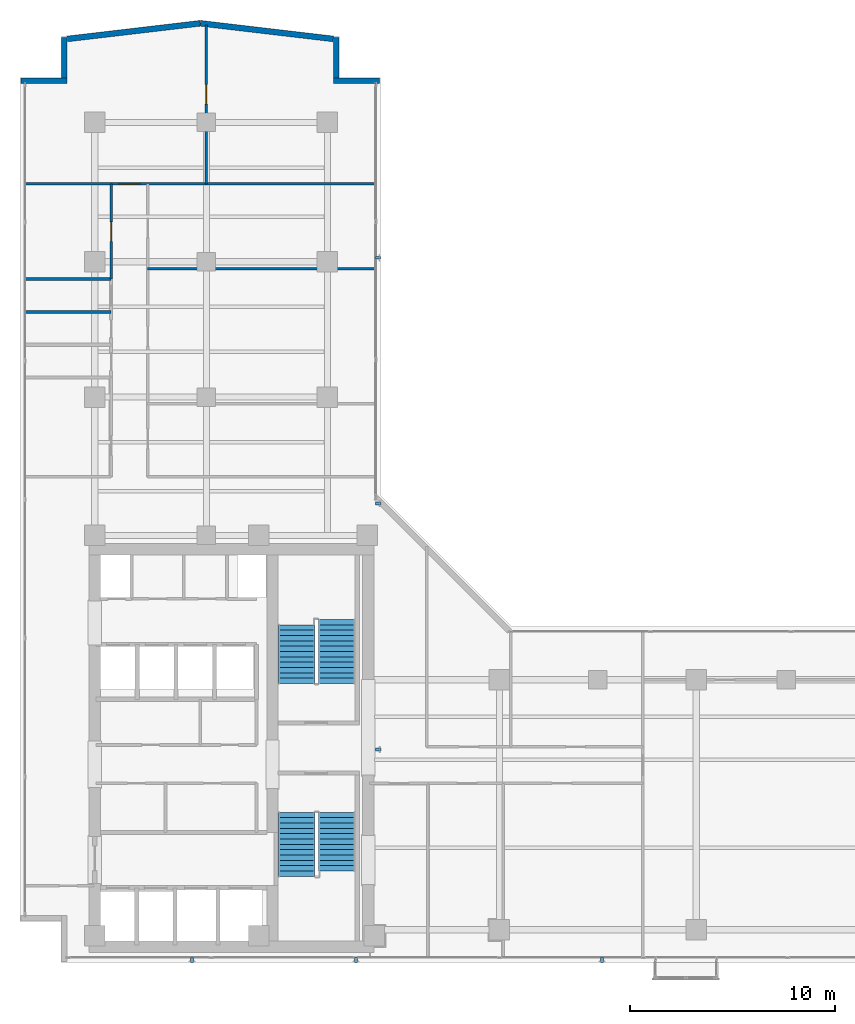
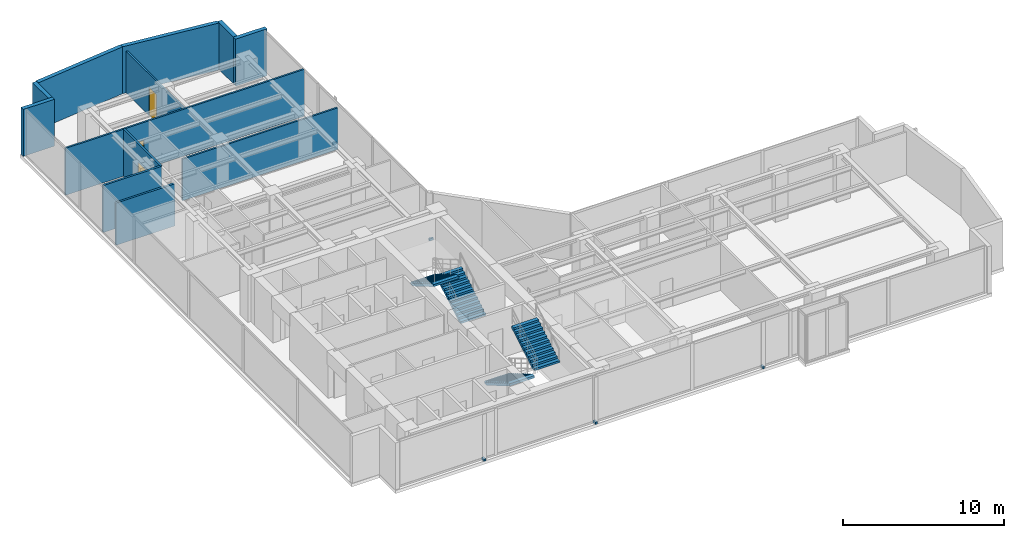
# One storey, part 19 of 24: 12 walls, 6 discrete accessories, 4 stair flights, 3 doors, 3 openings, 2 elements without a shape of their own.
"""IFC4 building model written with IfcOpenShell, lengths in metres."""

from ifc_helpers import new_model, si_unit, direction, frame, frame_2d, origin, origin_with_axes, origin_2d, place, context, subcontext, project, spatial, polyline, rectangle, outline, extrude, source, transform, mapped, material, layer, layer_set, type_object, element, fill, aggregate, save


model = new_model("IFC4")

# Units and contexts
model_context = context("Model", 3, precision=1e-05, world=origin(), true_north=direction((0.0, 1.0)))
body_context = subcontext(model_context, "Body", "Model", "MODEL_VIEW")
ifc_project = project(units=[si_unit("LENGTHUNIT", "METRE"), si_unit("AREAUNIT", "SQUARE_METRE"), si_unit("VOLUMEUNIT", "CUBIC_METRE"), si_unit("PLANEANGLEUNIT", "RADIAN"), si_unit("MASSUNIT", "GRAM", prefix="KILO")], contexts=[model_context])

# Site, building, storey
site_placement = place(None, origin())
site = spatial("IfcSite", under=ifc_project, at=site_placement, CompositionType="ELEMENT")
building_placement = place(site_placement, origin())
building = spatial("IfcBuilding", under=site, at=building_placement, Name="Kolvaren Waterfront Exchange", CompositionType="ELEMENT")
storey_placement = place(building_placement, frame((0.0, 0.0, 238.699951171875)))
storey = spatial("IfcBuildingStorey", under=building, at=storey_placement, Name="L61", CompositionType="ELEMENT", Elevation=238.699951171875)

# Walls
ifc_material_1 = material(Name="Precast concrete C40/50", Category="concrete")
ifc_layer_1 = layer(ifc_material_1, 0.280029296875, Name="Precast concrete C40/50")
ifc_layer_set_1 = layer_set([ifc_layer_1], Name="Precast concrete C40/50")
wall_type_1 = type_object("IfcWallType", Name="ARC-EXT-TERR-280", PredefinedType="SOLIDWALL", material=ifc_layer_set_1)
wall_1_placement = place(storey_placement, frame((19.10009765625, 46.639892578125, 0.0), z_axis=(0.0, 0.0, 1.0), x_axis=(1.0, 0.0, 0.0)))
element("IfcWall", 1, at=wall_1_placement, inside=storey, type_object=wall_type_1, Name="L61 notched corner spandrel pier NNE-A", PredefinedType="SOLIDWALL", context=body_context, shape_type="SweptSolid", body=[
    extrude(rectangle(XDim=2.239990234375, YDim=0.280029296875, at=frame_2d((1.1201171875, 0.0))), origin(), (0.0, 0.0, 1.0), 3.56005859375),
])
wall_2_placement = place(storey_placement, frame((19.239990234375, 46.780029296875, 0.0), z_axis=(0.0, 0.0, 1.0), x_axis=(0.0, 1.0, 0.0)))
element("IfcWall", 2, at=wall_2_placement, inside=storey, type_object=wall_type_1, Name="L61 notched corner spandrel pier NNE-B", PredefinedType="SOLIDWALL", context=body_context, shape_type="SweptSolid", body=[
    extrude(rectangle(XDim=1.9599609375, YDim=0.280029296875, at=frame_2d((0.97998046875, 0.0))), origin(), (0.0, 0.0, 1.0), 3.56005859375),
])
wall_3_placement = place(storey_placement, frame((3.860107421875, 46.639892578125, 0.0), z_axis=(0.0, 0.0, 1.0), x_axis=(1.0, 0.0, 0.0)))
element("IfcWall", 3, at=wall_3_placement, inside=storey, type_object=wall_type_1, Name="L61 notched corner spandrel pier NW-A", PredefinedType="SOLIDWALL", context=body_context, shape_type="SweptSolid", body=[
    extrude(rectangle(XDim=2.239990234375, YDim=0.280029296875, at=frame_2d((1.1201171875, 0.0))), origin(), (0.0, 0.0, 1.0), 3.56005859375),
])
wall_4_placement = place(storey_placement, frame((5.9599609375, 46.780029296875, 0.0), z_axis=(0.0, 0.0, 1.0), x_axis=(0.0, 1.0, 0.0)))
element("IfcWall", 4, at=wall_4_placement, inside=storey, type_object=wall_type_1, Name="L61 notched corner spandrel pier NW-B", PredefinedType="SOLIDWALL", context=body_context, shape_type="SweptSolid", body=[
    extrude(rectangle(XDim=1.9599609375, YDim=0.280029296875, at=frame_2d((0.97998046875, 0.0))), origin(), (0.0, 0.0, 1.0), 3.56005859375),
])
for number, where, z_axis, x_axis, name in (
    (5, (19.08349609375, 48.676025390625, 0.0), (0.0, 0.0, 1.0), (-0.993149072278, 0.11685426921, 0.0), "L61 north prow faceted facade wall 1"),
    (6, (12.598876953125, 49.438720703125, 0.0), (0.0, 0.0, 1.0), (-0.993149072278, -0.11685426921, 0.0), "L61 north prow faceted facade wall 2"),
):
    element("IfcWall", number, at=place(storey_placement, frame(where, z_axis=z_axis, x_axis=x_axis)), inside=storey, type_object=wall_type_1, Name=name, PredefinedType="SOLIDWALL", context=body_context, shape_type="SweptSolid", body=[
        extrude(rectangle(XDim=6.52685546875, YDim=0.280029296875, at=frame_2d((3.263427734375, 0.0))), origin(), (0.0, 0.0, 1.0), 3.56005859375),
    ])

# Wall, opening, door
ifc_material_2 = material(Name="Acoustic gypsum steel stud", Category="steel")
ifc_layer_2 = layer(ifc_material_2, 0.125, Name="Acoustic gypsum steel stud")
ifc_layer_set_2 = layer_set([ifc_layer_2], Name="Acoustic gypsum steel stud")
wall_type_2 = type_object("IfcWallType", Name="ARC-PART-125", PredefinedType="PARTITIONING", material=ifc_layer_set_2)
wall_5_placement = place(storey_placement, frame((8.25, 36.949951171875, 0.0), z_axis=(0.0, 0.0, 1.0), x_axis=(0.0, 1.0, 0.0)))
wall_5 = element("IfcWall", 7, at=wall_5_placement, inside=storey, type_object=wall_type_2, Name="L61 interior wall PW-L61-NW-CORR", PredefinedType="PARTITIONING", context=body_context, shape_type="SweptSolid", body=[
    extrude(rectangle(XDim=4.650146484375, YDim=0.125, at=frame_2d((2.3251953125, 0.0))), origin(), (0.0, 0.0, 1.0), 3.56005859375),
])
opening_1_placement = place(wall_5_placement, frame((1.85009765625, 0.0, 0.0)))
opening_1 = element("IfcOpeningElement", 8, at=opening_1_placement, cuts=wall_5, Name="Opening D02", PredefinedType="OPENING", context=body_context, shape_type="SweptSolid", body=[
    extrude(rectangle(XDim=0.949951171875, YDim=2.14990234375, at=frame_2d((0.47509765625, 1.074951171875))), frame((0.0, 0.072509765625, 0.0), z_axis=(0.0, -1.0, 0.0), x_axis=(1.0, 0.0, 0.0)), (0.0, 0.0, 1.0), 0.14501953125),
])
ifc_material_3 = material(Name="Oak veneer acoustic timber", Category="wood")
door_type_1 = type_object("IfcDoorType", Name="ARC-DR-950", OperationType="NOTDEFINED", PredefinedType="DOOR", material=ifc_material_3)
door_1_placement = place(opening_1_placement, origin())
door_1 = element("IfcDoor", 9, at=door_1_placement, inside=storey, type_object=door_type_1, Name="L61 door DR-L61-NW-D-1 (D02)", OperationType="SINGLE_SWING_LEFT", OverallHeight=2.14990234375, OverallWidth=0.949951171875, PredefinedType="DOOR", context=body_context, shape_type="SweptSolid", body=[
    extrude(rectangle(XDim=0.949951171875, YDim=2.14990234375, at=frame_2d((0.47509765625, 1.074951171875))), frame((0.0, 0.02490234375, 0.0), z_axis=(0.0, -1.0, 0.0), x_axis=(1.0, 0.0, 0.0)), (0.0, 0.0, 1.0), 0.050048828125),
])
fill(opening_1, door_1)

wall_6_placement = place(storey_placement, frame((4.0400390625, 41.60009765625, 0.0), z_axis=(0.0, 0.0, 1.0), x_axis=(1.0, 0.0, 0.0)))
wall_6 = element("IfcWall", 10, at=wall_6_placement, inside=storey, type_object=wall_type_2, Name="L61 interior wall PW-L61-NTIP-S", PredefinedType="PARTITIONING", context=body_context, shape_type="SweptSolid", body=[
    extrude(rectangle(XDim=17.119873046875, YDim=0.125, at=frame_2d((8.56005859375, 0.0))), origin(), (0.0, 0.0, 1.0), 3.56005859375),
])
opening_2_placement = place(wall_6_placement, frame((4.60009765625, 0.0, 0.0)))
opening_2 = element("IfcOpeningElement", 11, at=opening_2_placement, cuts=wall_6, Name="Opening D03", PredefinedType="OPENING", context=body_context, shape_type="SweptSolid", body=[
    extrude(rectangle(XDim=1.0, YDim=2.199951171875, at=frame_2d((0.5, 1.10009765625))), frame((0.0, 0.072509765625, 0.0), z_axis=(0.0, -1.0, 0.0), x_axis=(1.0, 0.0, 0.0)), (0.0, 0.0, 1.0), 0.14501953125),
])
ifc_material_4 = material(Name="Oak veneer accessible timber", Category="wood")
door_type_2 = type_object("IfcDoorType", Name="ARC-DR-1000", OperationType="NOTDEFINED", PredefinedType="DOOR", material=ifc_material_4)
door_2_placement = place(opening_2_placement, origin())
door_2 = element("IfcDoor", 12, at=door_2_placement, inside=storey, type_object=door_type_2, Name="L61 door DR-L61-NTIPW-D (D03)", OperationType="SINGLE_SWING_RIGHT", OverallHeight=2.199951171875, OverallWidth=1.0, PredefinedType="DOOR", context=body_context, shape_type="SweptSolid", body=[
    extrude(rectangle(XDim=1.0, YDim=2.199951171875, at=frame_2d((0.5, 1.10009765625))), frame((0.0, 0.02490234375, 0.0), z_axis=(0.0, -1.0, 0.0), x_axis=(1.0, 0.0, 0.0)), (0.0, 0.0, 1.0), 0.050048828125),
])
fill(opening_2, door_2)

wall_7_placement = place(storey_placement, frame((12.89990234375, 41.60009765625, 0.0), z_axis=(0.0, 0.0, 1.0), x_axis=(0.0, 1.0, 0.0)))
wall_7 = element("IfcWall", 13, at=wall_7_placement, inside=storey, type_object=wall_type_2, Name="L61 interior wall PW-L61-NTIP-DIV", PredefinedType="PARTITIONING", context=body_context, shape_type="SweptSolid", body=[
    extrude(rectangle(XDim=7.760009765625, YDim=0.125, at=frame_2d((3.8798828125, 0.0))), origin(), (0.0, 0.0, 1.0), 3.16015625),
])
opening_3_placement = place(wall_7_placement, frame((3.8935546875, 0.0, 0.0)))
opening_3 = element("IfcOpeningElement", 14, at=opening_3_placement, cuts=wall_7, Name="Opening D02", PredefinedType="OPENING", context=body_context, shape_type="SweptSolid", body=[
    extrude(rectangle(XDim=0.949951171875, YDim=2.14990234375, at=frame_2d((0.47509765625, 1.074951171875))), frame((0.0, 0.072509765625, 0.0), z_axis=(0.0, -1.0, 0.0), x_axis=(1.0, 0.0, 0.0)), (0.0, 0.0, 1.0), 0.14501953125),
])
door_3_placement = place(opening_3_placement, origin())
door_3 = element("IfcDoor", 15, at=door_3_placement, inside=storey, type_object=door_type_1, Name="L61 door DR-L61-NTIPE-D (D02)", OperationType="SINGLE_SWING_LEFT", OverallHeight=2.14990234375, OverallWidth=0.949951171875, PredefinedType="DOOR", context=body_context, shape_type="SweptSolid", body=[
    extrude(rectangle(XDim=0.949951171875, YDim=2.14990234375, at=frame_2d((0.47509765625, 1.074951171875))), frame((0.0, 0.02490234375, 0.0), z_axis=(0.0, -1.0, 0.0), x_axis=(1.0, 0.0, 0.0)), (0.0, 0.0, 1.0), 0.050048828125),
])
fill(opening_3, door_3)

# Walls
wall_8_placement = place(storey_placement, frame((10.030029296875, 37.449951171875, 0.0), z_axis=(0.0, 0.0, 1.0), x_axis=(1.0, 0.0, 0.0)))
element("IfcWall", 16, at=wall_8_placement, inside=storey, type_object=wall_type_2, Name="L61 interior wall PW-L61-NE-DIV-2", PredefinedType="PARTITIONING", context=body_context, shape_type="SweptSolid", body=[
    extrude(rectangle(XDim=11.1298828125, YDim=0.125, at=frame_2d((5.56494140625, 0.0))), origin(), (0.0, 0.0, 1.0), 3.16015625),
])
ifc_material_5 = material(Name="Moisture-resistant gypsum stud")
ifc_layer_3 = layer(ifc_material_5, 0.14990234375, Name="Moisture-resistant gypsum stud")
ifc_layer_set_3 = layer_set([ifc_layer_3], Name="Moisture-resistant gypsum stud")
wall_type_3 = type_object("IfcWallType", Name="ARC-PLUMB-150", PredefinedType="PLUMBINGWALL", material=ifc_layer_set_3)
wall_9_placement = place(storey_placement, frame((4.0400390625, 35.35009765625, 0.0), z_axis=(0.0, 0.0, 1.0), x_axis=(1.0, 0.0, 0.0)))
element("IfcWall", 17, at=wall_9_placement, inside=storey, type_object=wall_type_3, Name="L61 interior wall PW-L61-WC-2", PredefinedType="PLUMBINGWALL", context=body_context, shape_type="SweptSolid", body=[
    extrude(rectangle(XDim=4.2099609375, YDim=0.14990234375, at=frame_2d((2.10498046875, 0.0))), origin(), (0.0, 0.0, 1.0), 3.199951171875),
])
wall_10_placement = place(storey_placement, frame((4.0400390625, 36.949951171875, 0.0), z_axis=(0.0, 0.0, 1.0), x_axis=(1.0, 0.0, 0.0)))
element("IfcWall", 18, at=wall_10_placement, inside=storey, type_object=wall_type_3, Name="L61 interior wall PW-L61-WC-3", PredefinedType="PLUMBINGWALL", context=body_context, shape_type="SweptSolid", body=[
    extrude(rectangle(XDim=4.2099609375, YDim=0.14990234375, at=frame_2d((2.10498046875, 0.0))), origin(), (0.0, 0.0, 1.0), 3.56005859375),
])

# Stair, stair flights
ifc_material_6 = material(Name="Concrete C40/50", Category="concrete")
stair_type = type_object("IfcStairType", Name="ARC-STAIR-3800", PredefinedType="HALF_TURN_STAIR", material=ifc_material_6)
stair_1_placement = place(storey_placement, origin())
stair_1 = element("IfcStair", 19, at=stair_1_placement, inside=storey, type_object=stair_type, Name="L61 Smoke-proof exit stair ST1", PredefinedType="HALF_TURN_STAIR")
stair_flight_type = type_object("IfcStairFlightType", Name="ARC-FLIGHT-3800", PredefinedType="STRAIGHT", material=ifc_material_6)
stair_flight_1_placement = place(storey_placement, frame((17.300048828125, 10.929931640625, 0.0), z_axis=(0.0, 0.0, 1.0), x_axis=(0.0, -1.0, 0.0)))
stair_flight_1 = element("IfcStairFlight", 20, at=stair_flight_1_placement, type_object=stair_flight_type, Name="ST1 flight 1", NumberOfRisers=13, NumberOfTreads=12, PredefinedType="STRAIGHT", RiserHeight=0.152, TreadLength=0.26, context=body_context, shape_type="SweptSolid", body=[
    extrude(outline(polyline([(0.0, 0.0), (0.0, 0.152099609375), (0.260009765625, 0.152099609375), (0.260009765625, 0.303955078125), (0.52001953125, 0.303955078125), (0.52001953125, 0.4560546875), (0.780029296875, 0.4560546875), (0.780029296875, 0.60791015625), (1.0400390625, 0.60791015625), (1.0400390625, 0.760009765625), (1.300048828125, 0.760009765625), (1.300048828125, 0.912109375), (1.56005859375, 0.912109375), (1.56005859375, 1.06396484375), (1.820068359375, 1.06396484375), (1.820068359375, 1.216064453125), (2.080078125, 1.216064453125), (2.080078125, 1.367919921875), (2.340087890625, 1.367919921875), (2.340087890625, 1.52001953125), (2.60009765625, 1.52001953125), (2.60009765625, 1.672119140625), (2.860107421875, 1.672119140625), (2.860107421875, 1.823974609375), (3.1201171875, 1.823974609375), (3.1201171875, 1.97607421875), (3.1201171875, 1.650390625), (0.297119140625, 0.0), (0.0, 0.0)])), frame((0.0, 0.89990234375, 0.0), z_axis=(0.0, -1.0, 0.0), x_axis=(1.0, 0.0, 0.0)), (0.0, 0.0, 1.0), 1.800048828125),
])
stair_flight_2_placement = place(storey_placement, frame((19.260009765625, 8.070068359375, 1.97607421875), z_axis=(0.0, 0.0, 1.0), x_axis=(0.0, 1.0, 0.0)))
stair_flight_2 = element("IfcStairFlight", 21, at=stair_flight_2_placement, type_object=stair_flight_type, Name="ST1 flight 2", NumberOfRisers=12, NumberOfTreads=11, PredefinedType="STRAIGHT", RiserHeight=0.152, TreadLength=0.26, context=body_context, shape_type="SweptSolid", body=[
    extrude(outline(polyline([(0.0, 0.0), (0.0, 0.152099609375), (0.260009765625, 0.152099609375), (0.260009765625, 0.303955078125), (0.52001953125, 0.303955078125), (0.52001953125, 0.4560546875), (0.780029296875, 0.4560546875), (0.780029296875, 0.60791015625), (1.0400390625, 0.60791015625), (1.0400390625, 0.760009765625), (1.300048828125, 0.760009765625), (1.300048828125, 0.912109375), (1.56005859375, 0.912109375), (1.56005859375, 1.06396484375), (1.820068359375, 1.06396484375), (1.820068359375, 1.216064453125), (2.080078125, 1.216064453125), (2.080078125, 1.367919921875), (2.340087890625, 1.367919921875), (2.340087890625, 1.52001953125), (2.60009765625, 1.52001953125), (2.60009765625, 1.672119140625), (2.860107421875, 1.672119140625), (2.860107421875, 1.823974609375), (2.860107421875, 1.498291015625), (0.297119140625, 0.0), (0.0, 0.0)])), frame((0.0, 0.89990234375, 0.0), z_axis=(0.0, -1.0, 0.0), x_axis=(1.0, 0.0, 0.0)), (0.0, 0.0, 1.0), 1.800048828125),
])
aggregate(stair_1, [stair_flight_1, stair_flight_2])

stair_2_placement = place(storey_placement, origin())
stair_2 = element("IfcStair", 22, at=stair_2_placement, inside=storey, type_object=stair_type, Name="L61 Smoke-proof exit stair ST2", PredefinedType="HALF_TURN_STAIR")
stair_flight_3_placement = place(storey_placement, frame((19.260009765625, 17.219970703125, 0.0), z_axis=(0.0, 0.0, 1.0), x_axis=(0.0, 1.0, 0.0)))
stair_flight_3 = element("IfcStairFlight", 23, at=stair_flight_3_placement, type_object=stair_flight_type, Name="ST2 flight 1", NumberOfRisers=13, NumberOfTreads=12, PredefinedType="STRAIGHT", RiserHeight=0.152, TreadLength=0.26, context=body_context, shape_type="SweptSolid", body=[
    extrude(outline(polyline([(0.0, 0.0), (0.0, 0.152099609375), (0.260009765625, 0.152099609375), (0.260009765625, 0.303955078125), (0.52001953125, 0.303955078125), (0.52001953125, 0.4560546875), (0.780029296875, 0.4560546875), (0.780029296875, 0.60791015625), (1.0400390625, 0.60791015625), (1.0400390625, 0.760009765625), (1.300048828125, 0.760009765625), (1.300048828125, 0.912109375), (1.56005859375, 0.912109375), (1.56005859375, 1.06396484375), (1.820068359375, 1.06396484375), (1.820068359375, 1.216064453125), (2.080078125, 1.216064453125), (2.080078125, 1.367919921875), (2.340087890625, 1.367919921875), (2.340087890625, 1.52001953125), (2.60009765625, 1.52001953125), (2.60009765625, 1.672119140625), (2.860107421875, 1.672119140625), (2.860107421875, 1.823974609375), (3.1201171875, 1.823974609375), (3.1201171875, 1.97607421875), (3.1201171875, 1.650390625), (0.297119140625, 0.0), (0.0, 0.0)])), frame((0.0, 0.89990234375, 0.0), z_axis=(0.0, -1.0, 0.0), x_axis=(1.0, 0.0, 0.0)), (0.0, 0.0, 1.0), 1.800048828125),
])
stair_flight_4_placement = place(storey_placement, frame((17.300048828125, 20.080078125, 1.97607421875), z_axis=(0.0, 0.0, 1.0), x_axis=(0.0, -1.0, 0.0)))
stair_flight_4 = element("IfcStairFlight", 24, at=stair_flight_4_placement, type_object=stair_flight_type, Name="ST2 flight 2", NumberOfRisers=12, NumberOfTreads=11, PredefinedType="STRAIGHT", RiserHeight=0.152, TreadLength=0.26, context=body_context, shape_type="SweptSolid", body=[
    extrude(outline(polyline([(0.0, 0.0), (0.0, 0.152099609375), (0.260009765625, 0.152099609375), (0.260009765625, 0.303955078125), (0.52001953125, 0.303955078125), (0.52001953125, 0.4560546875), (0.780029296875, 0.4560546875), (0.780029296875, 0.60791015625), (1.0400390625, 0.60791015625), (1.0400390625, 0.760009765625), (1.300048828125, 0.760009765625), (1.300048828125, 0.912109375), (1.56005859375, 0.912109375), (1.56005859375, 1.06396484375), (1.820068359375, 1.06396484375), (1.820068359375, 1.216064453125), (2.080078125, 1.216064453125), (2.080078125, 1.367919921875), (2.340087890625, 1.367919921875), (2.340087890625, 1.52001953125), (2.60009765625, 1.52001953125), (2.60009765625, 1.672119140625), (2.860107421875, 1.672119140625), (2.860107421875, 1.823974609375), (2.860107421875, 1.498291015625), (0.297119140625, 0.0), (0.0, 0.0)])), frame((0.0, 0.89990234375, 0.0), z_axis=(0.0, -1.0, 0.0), x_axis=(1.0, 0.0, 0.0)), (0.0, 0.0, 1.0), 1.800048828125),
])
aggregate(stair_2, [stair_flight_3, stair_flight_4])

# Discrete accessories
ifc_material_7 = material(Name="Stainless steel 316", Category="steel")
discrete_accessory_type = type_object("IfcDiscreteAccessoryType", Name="ARC-BRK-FIN", PredefinedType="BRACKET", material=ifc_material_7)
shared_shape = source(origin_with_axes(), body_context, "Body", "SweptSolid", [
    extrude(rectangle(XDim=0.280029296875, YDim=0.139892578125, at=origin_2d()), origin(), (0.0, 0.0, 1.0), 0.159912109375),
])
for number, where, z_axis, x_axis, name in (
    (25, (12.199951171875, 3.719970703125, 0.0), (0.0, 0.0, 1.0), (0.0, -1.0, 0.0), "L61 bronze fin anchor bracket FIN-L61-S1"),
    (26, (20.199951171875, 3.719970703125, 0.0), (0.0, 0.0, 1.0), (0.0, -1.0, 0.0), "L61 bronze fin anchor bracket FIN-L61-S2"),
    (27, (32.199951171875, 3.719970703125, 0.0), (0.0, 0.0, 1.0), (0.0, -1.0, 0.0), "L61 bronze fin anchor bracket FIN-L61-S3"),
    (28, (21.280029296875, 14.0, 0.0), (0.0, 0.0, 1.0), (1.0, 0.0, 0.0), "L61 bronze fin anchor bracket FIN-L61-E1"),
    (29, (21.280029296875, 26.0, 0.0), (0.0, 0.0, 1.0), (1.0, 0.0, 0.0), "L61 bronze fin anchor bracket FIN-L61-E2"),
    (30, (21.280029296875, 38.0, 0.0), (0.0, 0.0, 1.0), (1.0, 0.0, 0.0), "L61 bronze fin anchor bracket FIN-L61-E3"),
):
    element("IfcDiscreteAccessory", number, at=place(storey_placement, frame(where, z_axis=z_axis, x_axis=x_axis)), inside=storey, type_object=discrete_accessory_type, Name=name, PredefinedType="BRACKET", context=body_context, shape_type="MappedRepresentation", body=[
        mapped(shared_shape, transform((0.0, 0.0, 0.0), x_axis=(1.0, 0.0, 0.0), y_axis=(0.0, 1.0, 0.0), z_axis=(0.0, 0.0, 1.0), scale=1.0)),
    ])

save(model, "model.ifc")
